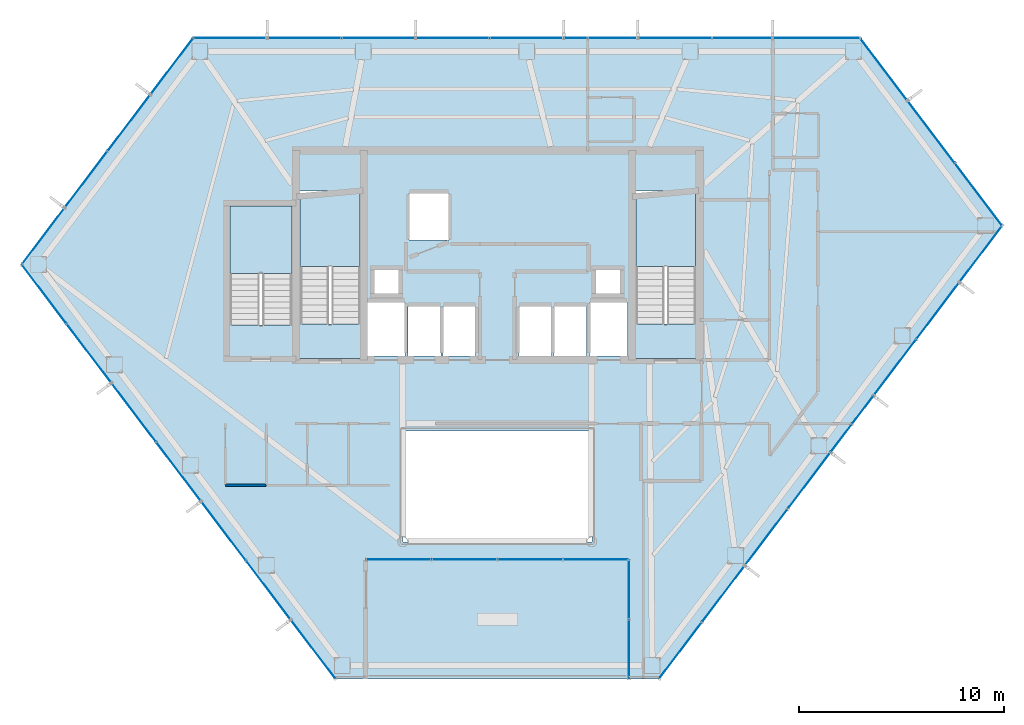
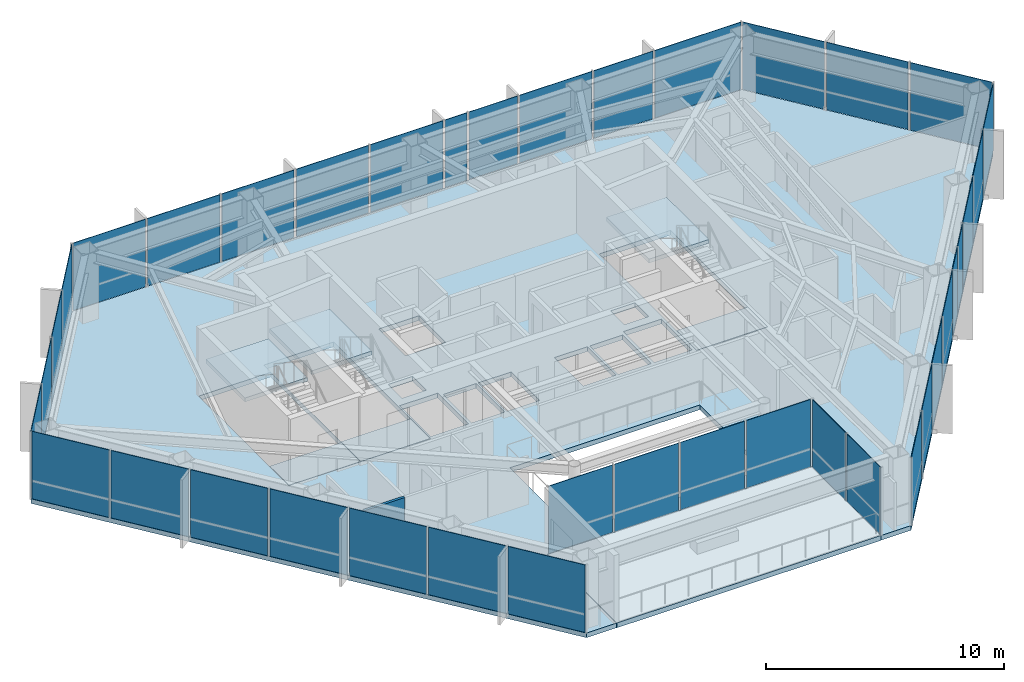
# One storey, part 24 of 28: 39 plates, 8 slabs, 1 wall, 10 elements without a shape of their own.
"""IFC4 building model written with IfcOpenShell, lengths in metres."""

from ifc_helpers import new_model, si_unit, direction, frame, frame_2d, origin, origin_2d, place, context, subcontext, project, spatial, polyline, rectangle, outline, extrude, material, layer, layer_set, type_object, element, aggregate, save


model = new_model("IFC4")

# Units and contexts
model_context = context("Model", 3, precision=1e-05, world=origin(), true_north=direction((0.0, 1.0)))
body_context = subcontext(model_context, "Body", "Model", "MODEL_VIEW")
ifc_project = project(units=[si_unit("LENGTHUNIT", "METRE"), si_unit("AREAUNIT", "SQUARE_METRE"), si_unit("VOLUMEUNIT", "CUBIC_METRE"), si_unit("PLANEANGLEUNIT", "RADIAN"), si_unit("MASSUNIT", "GRAM", prefix="KILO")], contexts=[model_context])

# Site, building, storey
site_placement = place(None, origin())
site = spatial("IfcSite", under=ifc_project, at=site_placement, CompositionType="ELEMENT")
building_placement = place(site_placement, origin())
building = spatial("IfcBuilding", under=site, at=building_placement, Name="Zarrinselat Tower", CompositionType="ELEMENT")
storey_placement = place(building_placement, frame((0.0, 0.0, 157.080078125)))
storey = spatial("IfcBuildingStorey", under=building, at=storey_placement, Name="L38", CompositionType="ELEMENT", Elevation=157.080078125)

# Curtain wall, plates
ifc_material_1 = material(Name="Extruded Aluminium Alloy EN AW-6063 T6", Category="aluminium")
ifc_layer_1 = layer(ifc_material_1, 0.175048828125)
ifc_layer_set_1 = layer_set([ifc_layer_1], Name="Extruded Aluminium Alloy EN AW-6063 T6")
curtain_wall_type_1 = type_object("IfcCurtainWallType", Name="CWS-HTL", PredefinedType="NOTDEFINED", material=ifc_layer_set_1)
curtain_wall_1_placement = place(storey_placement, origin())
curtain_wall_1 = element("IfcCurtainWall", 1, at=curtain_wall_1_placement, inside=storey, type_object=curtain_wall_type_1, Name="L38 Unitised Curtain Wall CW-L38-E01", PredefinedType="NOTDEFINED")
ifc_material_2 = material(Name="Double Low-E Laminated Solar Glass", Category="glass")
ifc_layer_2 = layer(ifc_material_2, 0.028076171875)
ifc_layer_set_2 = layer_set([ifc_layer_2], Name="Double Low-E Laminated Solar Glass")
plate_type = type_object("IfcPlateType", Name="PLT-CW-GL28", PredefinedType="CURTAIN_PANEL", material=ifc_layer_set_2)
plate_1_placement = place(storey_placement, frame((29.439697265625, 19.164306640625, 0.02001953125), z_axis=(0.0, 0.0, 1.0), x_axis=(-0.603857992276, 0.797091917639, 0.0)))
plate_1 = element("IfcPlate", 2, at=plate_1_placement, type_object=plate_type, Name="CW-L38-E01 Vision Glass Panel 1", PredefinedType="CURTAIN_PANEL", context=body_context, shape_type="SweptSolid", body=[
    extrude(rectangle(XDim=3.515869140625, YDim=0.028076171875, at=origin_2d()), origin(), (0.0, 0.0, 1.0), 3.4599609375),
])
plate_2_placement = place(storey_placement, frame((27.256103515625, 22.04638671875, 0.02001953125), z_axis=(0.0, 0.0, 1.0), x_axis=(-0.603857992276, 0.797091917639, 0.0)))
plate_2 = element("IfcPlate", 3, at=plate_2_placement, type_object=plate_type, Name="CW-L38-E01 Vision Glass Panel 2", PredefinedType="CURTAIN_PANEL", context=body_context, shape_type="SweptSolid", body=[
    extrude(rectangle(XDim=3.515869140625, YDim=0.028076171875, at=origin_2d()), origin(), (0.0, 0.0, 1.0), 3.4599609375),
])
plate_3_placement = place(storey_placement, frame((25.07275390625, 24.9287109375, 0.02001953125), z_axis=(0.0, 0.0, 1.0), x_axis=(-0.603857992276, 0.797091917639, 0.0)))
plate_3 = element("IfcPlate", 4, at=plate_3_placement, type_object=plate_type, Name="CW-L38-E01 Vision Glass Panel 3", PredefinedType="CURTAIN_PANEL", context=body_context, shape_type="SweptSolid", body=[
    extrude(rectangle(XDim=3.515869140625, YDim=0.028076171875, at=origin_2d()), origin(), (0.0, 0.0, 1.0), 3.4599609375),
])
plate_4_placement = place(storey_placement, frame((22.889404296875, 27.810791015625, 0.02001953125), z_axis=(0.0, 0.0, 1.0), x_axis=(-0.603857992276, 0.797091917639, 0.0)))
plate_4 = element("IfcPlate", 5, at=plate_4_placement, type_object=plate_type, Name="CW-L38-E01 Vision Glass Panel 4", PredefinedType="CURTAIN_PANEL", context=body_context, shape_type="SweptSolid", body=[
    extrude(rectangle(XDim=3.515869140625, YDim=0.028076171875, at=origin_2d()), origin(), (0.0, 0.0, 1.0), 3.4599609375),
])
plate_5_placement = place(storey_placement, frame((20.7060546875, 30.69287109375, 0.02001953125), z_axis=(0.0, 0.0, 1.0), x_axis=(-0.603857992276, 0.797091917639, 0.0)))
plate_5 = element("IfcPlate", 6, at=plate_5_placement, type_object=plate_type, Name="CW-L38-E01 Vision Glass Panel 5", PredefinedType="CURTAIN_PANEL", context=body_context, shape_type="SweptSolid", body=[
    extrude(rectangle(XDim=3.515869140625, YDim=0.028076171875, at=origin_2d()), origin(), (0.0, 0.0, 1.0), 3.4599609375),
])
plate_6_placement = place(storey_placement, frame((18.522705078125, 33.574951171875, 0.02001953125), z_axis=(0.0, 0.0, 1.0), x_axis=(-0.603857992276, 0.797091917639, 0.0)))
plate_6 = element("IfcPlate", 7, at=plate_6_placement, type_object=plate_type, Name="CW-L38-E01 Vision Glass Panel 6", PredefinedType="CURTAIN_PANEL", context=body_context, shape_type="SweptSolid", body=[
    extrude(rectangle(XDim=3.515869140625, YDim=0.028076171875, at=origin_2d()), origin(), (0.0, 0.0, 1.0), 3.4599609375),
])
plate_7_placement = place(storey_placement, frame((16.339111328125, 36.45703125, 0.02001953125), z_axis=(0.0, 0.0, 1.0), x_axis=(-0.603857992276, 0.797091917639, 0.0)))
plate_7 = element("IfcPlate", 8, at=plate_7_placement, type_object=plate_type, Name="CW-L38-E01 Vision Glass Panel 7", PredefinedType="CURTAIN_PANEL", context=body_context, shape_type="SweptSolid", body=[
    extrude(rectangle(XDim=3.515869140625, YDim=0.028076171875, at=origin_2d()), origin(), (0.0, 0.0, 1.0), 3.4599609375),
])
aggregate(curtain_wall_1, [plate_1, plate_2, plate_3, plate_4, plate_5, plate_6, plate_7])

curtain_wall_2_placement = place(storey_placement, origin())
curtain_wall_2 = element("IfcCurtainWall", 9, at=curtain_wall_2_placement, inside=storey, type_object=curtain_wall_type_1, Name="L38 Unitised Curtain Wall CW-L38-E02", PredefinedType="NOTDEFINED")
plate_8_placement = place(storey_placement, frame((16.291015625, 39.275390625, 0.02001953125), z_axis=(0.0, 0.0, 1.0), x_axis=(0.603857687995, 0.797092148154, 0.0)))
plate_8 = element("IfcPlate", 10, at=plate_8_placement, type_object=plate_type, Name="CW-L38-E02 Vision Glass Panel 1", PredefinedType="CURTAIN_PANEL", context=body_context, shape_type="SweptSolid", body=[
    extrude(rectangle(XDim=3.35595703125, YDim=0.028076171875, at=origin_2d()), origin(), (0.0, 0.0, 1.0), 3.4599609375),
])
plate_9_placement = place(storey_placement, frame((18.377685546875, 42.030029296875, 0.02001953125), z_axis=(0.0, 0.0, 1.0), x_axis=(0.603857687995, 0.797092148154, 0.0)))
plate_9 = element("IfcPlate", 11, at=plate_9_placement, type_object=plate_type, Name="CW-L38-E02 Vision Glass Panel 2", PredefinedType="CURTAIN_PANEL", context=body_context, shape_type="SweptSolid", body=[
    extrude(rectangle(XDim=3.35595703125, YDim=0.028076171875, at=origin_2d()), origin(), (0.0, 0.0, 1.0), 3.4599609375),
])
plate_10_placement = place(storey_placement, frame((20.464599609375, 44.78466796875, 0.02001953125), z_axis=(0.0, 0.0, 1.0), x_axis=(0.603857687995, 0.797092148154, 0.0)))
plate_10 = element("IfcPlate", 12, at=plate_10_placement, type_object=plate_type, Name="CW-L38-E02 Vision Glass Panel 3", PredefinedType="CURTAIN_PANEL", context=body_context, shape_type="SweptSolid", body=[
    extrude(rectangle(XDim=3.35595703125, YDim=0.028076171875, at=origin_2d()), origin(), (0.0, 0.0, 1.0), 3.4599609375),
])
plate_11_placement = place(storey_placement, frame((22.551513671875, 47.539306640625, 0.02001953125), z_axis=(0.0, 0.0, 1.0), x_axis=(0.603857687995, 0.797092148154, 0.0)))
plate_11 = element("IfcPlate", 13, at=plate_11_placement, type_object=plate_type, Name="CW-L38-E02 Vision Glass Panel 4", PredefinedType="CURTAIN_PANEL", context=body_context, shape_type="SweptSolid", body=[
    extrude(rectangle(XDim=3.35595703125, YDim=0.028076171875, at=origin_2d()), origin(), (0.0, 0.0, 1.0), 3.4599609375),
])
aggregate(curtain_wall_2, [plate_8, plate_9, plate_10, plate_11])

curtain_wall_3_placement = place(storey_placement, origin())
curtain_wall_3 = element("IfcCurtainWall", 14, at=curtain_wall_3_placement, inside=storey, type_object=curtain_wall_type_1, Name="L38 Unitised Curtain Wall CW-L38-E03", PredefinedType="NOTDEFINED")
plate_12_placement = place(storey_placement, frame((25.39892578125, 48.916748046875, 0.02001953125), z_axis=(0.0, 0.0, 1.0), x_axis=(1.0, 0.0, 0.0)))
plate_12 = element("IfcPlate", 15, at=plate_12_placement, type_object=plate_type, Name="CW-L38-E03 Vision Glass Panel 1", PredefinedType="CURTAIN_PANEL", context=body_context, shape_type="SweptSolid", body=[
    extrude(rectangle(XDim=3.5078125, YDim=0.028076171875, at=origin_2d()), origin(), (0.0, 0.0, 1.0), 3.4599609375),
])
plate_13_placement = place(storey_placement, frame((29.006591796875, 48.916748046875, 0.02001953125), z_axis=(0.0, 0.0, 1.0), x_axis=(1.0, 0.0, 0.0)))
plate_13 = element("IfcPlate", 16, at=plate_13_placement, type_object=plate_type, Name="CW-L38-E03 Vision Glass Panel 2", PredefinedType="CURTAIN_PANEL", context=body_context, shape_type="SweptSolid", body=[
    extrude(rectangle(XDim=3.5078125, YDim=0.028076171875, at=origin_2d()), origin(), (0.0, 0.0, 1.0), 3.4599609375),
])
plate_14_placement = place(storey_placement, frame((32.614501953125, 48.916748046875, 0.02001953125), z_axis=(0.0, 0.0, 1.0), x_axis=(1.0, 0.0, 0.0)))
plate_14 = element("IfcPlate", 17, at=plate_14_placement, type_object=plate_type, Name="CW-L38-E03 Vision Glass Panel 3", PredefinedType="CURTAIN_PANEL", context=body_context, shape_type="SweptSolid", body=[
    extrude(rectangle(XDim=3.5078125, YDim=0.028076171875, at=origin_2d()), origin(), (0.0, 0.0, 1.0), 3.4599609375),
])
plate_15_placement = place(storey_placement, frame((36.222412109375, 48.916748046875, 0.02001953125), z_axis=(0.0, 0.0, 1.0), x_axis=(1.0, 0.0, 0.0)))
plate_15 = element("IfcPlate", 18, at=plate_15_placement, type_object=plate_type, Name="CW-L38-E03 Vision Glass Panel 4", PredefinedType="CURTAIN_PANEL", context=body_context, shape_type="SweptSolid", body=[
    extrude(rectangle(XDim=3.5078125, YDim=0.028076171875, at=origin_2d()), origin(), (0.0, 0.0, 1.0), 3.4599609375),
])
plate_16_placement = place(storey_placement, frame((39.830078125, 48.916748046875, 0.02001953125), z_axis=(0.0, 0.0, 1.0), x_axis=(1.0, 0.0, 0.0)))
plate_16 = element("IfcPlate", 19, at=plate_16_placement, type_object=plate_type, Name="CW-L38-E03 Vision Glass Panel 5", PredefinedType="CURTAIN_PANEL", context=body_context, shape_type="SweptSolid", body=[
    extrude(rectangle(XDim=3.5078125, YDim=0.028076171875, at=origin_2d()), origin(), (0.0, 0.0, 1.0), 3.4599609375),
])
plate_17_placement = place(storey_placement, frame((42.217041015625, 48.916748046875, 0.02001953125), z_axis=(0.0, 0.0, 1.0), x_axis=(1.0, 0.0, 0.0)))
plate_17 = element("IfcPlate", 20, at=plate_17_placement, type_object=plate_type, Name="CW-L38-E03 Vision Glass Panel 6", PredefinedType="CURTAIN_PANEL", context=body_context, shape_type="SweptSolid", body=[
    extrude(rectangle(XDim=1.06591796875, YDim=0.028076171875, at=origin_2d()), origin(), (0.0, 0.0, 1.0), 3.4599609375),
])
plate_18_placement = place(storey_placement, frame((44.02099609375, 48.916748046875, 0.02001953125), z_axis=(0.0, 0.0, 1.0), x_axis=(1.0, 0.0, 0.0)))
plate_18 = element("IfcPlate", 21, at=plate_18_placement, type_object=plate_type, Name="CW-L38-E03 Vision Glass Panel 7", PredefinedType="CURTAIN_PANEL", context=body_context, shape_type="SweptSolid", body=[
    extrude(rectangle(XDim=2.341796875, YDim=0.028076171875, at=origin_2d()), origin(), (0.0, 0.0, 1.0), 3.4599609375),
])
plate_19_placement = place(storey_placement, frame((47.045654296875, 48.916748046875, 0.02001953125), z_axis=(0.0, 0.0, 1.0), x_axis=(1.0, 0.0, 0.0)))
plate_19 = element("IfcPlate", 22, at=plate_19_placement, type_object=plate_type, Name="CW-L38-E03 Vision Glass Panel 8", PredefinedType="CURTAIN_PANEL", context=body_context, shape_type="SweptSolid", body=[
    extrude(rectangle(XDim=3.5078125, YDim=0.028076171875, at=origin_2d()), origin(), (0.0, 0.0, 1.0), 3.4599609375),
])
plate_20_placement = place(storey_placement, frame((50.32470703125, 48.916748046875, 0.02001953125), z_axis=(0.0, 0.0, 1.0), x_axis=(1.0, 0.0, 0.0)))
plate_20 = element("IfcPlate", 23, at=plate_20_placement, type_object=plate_type, Name="CW-L38-E03 Vision Glass Panel 9", PredefinedType="CURTAIN_PANEL", context=body_context, shape_type="SweptSolid", body=[
    extrude(rectangle(XDim=2.850341796875, YDim=0.028076171875, at=origin_2d()), origin(), (0.0, 0.0, 1.0), 3.4599609375),
])
plate_21_placement = place(storey_placement, frame((53.9326171875, 48.916748046875, 0.02001953125), z_axis=(0.0, 0.0, 1.0), x_axis=(1.0, 0.0, 0.0)))
plate_21 = element("IfcPlate", 24, at=plate_21_placement, type_object=plate_type, Name="CW-L38-E03 Vision Glass Panel 10", PredefinedType="CURTAIN_PANEL", context=body_context, shape_type="SweptSolid", body=[
    extrude(rectangle(XDim=4.165283203125, YDim=0.028076171875, at=origin_2d()), origin(), (0.0, 0.0, 1.0), 3.4599609375),
])
aggregate(curtain_wall_3, [plate_12, plate_13, plate_14, plate_15, plate_16, plate_17, plate_18, plate_19, plate_20, plate_21])

curtain_wall_4_placement = place(storey_placement, origin())
curtain_wall_4 = element("IfcCurtainWall", 25, at=curtain_wall_4_placement, inside=storey, type_object=curtain_wall_type_1, Name="L38 Unitised Curtain Wall CW-L38-E04", PredefinedType="NOTDEFINED")
plate_22_placement = place(storey_placement, frame((57.218017578125, 47.39501953125, 0.02001953125), z_axis=(0.0, 0.0, 1.0), x_axis=(0.603856343425, -0.797093166766, 0.0)))
plate_22 = element("IfcPlate", 26, at=plate_22_placement, type_object=plate_type, Name="CW-L38-E04 Vision Glass Panel 1", PredefinedType="CURTAIN_PANEL", context=body_context, shape_type="SweptSolid", body=[
    extrude(rectangle(XDim=3.718505859375, YDim=0.028076171875, at=origin_2d()), origin(), (0.0, 0.0, 1.0), 3.4599609375),
])
plate_23_placement = place(storey_placement, frame((59.52392578125, 44.351318359375, 0.02001953125), z_axis=(0.0, 0.0, 1.0), x_axis=(0.603856343425, -0.797093166766, 0.0)))
plate_23 = element("IfcPlate", 27, at=plate_23_placement, type_object=plate_type, Name="CW-L38-E04 Vision Glass Panel 2", PredefinedType="CURTAIN_PANEL", context=body_context, shape_type="SweptSolid", body=[
    extrude(rectangle(XDim=3.718505859375, YDim=0.028076171875, at=origin_2d()), origin(), (0.0, 0.0, 1.0), 3.4599609375),
])
plate_24_placement = place(storey_placement, frame((61.82958984375, 41.3076171875, 0.02001953125), z_axis=(0.0, 0.0, 1.0), x_axis=(0.603856343425, -0.797093166766, 0.0)))
plate_24 = element("IfcPlate", 28, at=plate_24_placement, type_object=plate_type, Name="CW-L38-E04 Vision Glass Panel 3", PredefinedType="CURTAIN_PANEL", context=body_context, shape_type="SweptSolid", body=[
    extrude(rectangle(XDim=3.718505859375, YDim=0.028076171875, at=origin_2d()), origin(), (0.0, 0.0, 1.0), 3.4599609375),
])
aggregate(curtain_wall_4, [plate_22, plate_23, plate_24])

curtain_wall_5_placement = place(storey_placement, origin())
curtain_wall_5 = element("IfcCurtainWall", 29, at=curtain_wall_5_placement, inside=storey, type_object=curtain_wall_type_1, Name="L38 Unitised Curtain Wall CW-L38-E05", PredefinedType="NOTDEFINED")
plate_25_placement = place(storey_placement, frame((61.93798828125, 38.40673828125, 0.02001953125), z_axis=(0.0, 0.0, 1.0), x_axis=(-0.603858522722, -0.797091515785, 0.0)))
plate_25 = element("IfcPlate", 30, at=plate_25_placement, type_object=plate_type, Name="CW-L38-E05 Vision Glass Panel 1", PredefinedType="CURTAIN_PANEL", context=body_context, shape_type="SweptSolid", body=[
    extrude(rectangle(XDim=3.35986328125, YDim=0.028076171875, at=origin_2d()), origin(), (0.0, 0.0, 1.0), 3.4599609375),
])
plate_26_placement = place(storey_placement, frame((59.8486328125, 35.64892578125, 0.02001953125), z_axis=(0.0, 0.0, 1.0), x_axis=(-0.603858522722, -0.797091515785, 0.0)))
plate_26 = element("IfcPlate", 31, at=plate_26_placement, type_object=plate_type, Name="CW-L38-E05 Vision Glass Panel 2", PredefinedType="CURTAIN_PANEL", context=body_context, shape_type="SweptSolid", body=[
    extrude(rectangle(XDim=3.35986328125, YDim=0.028076171875, at=origin_2d()), origin(), (0.0, 0.0, 1.0), 3.4599609375),
])
plate_27_placement = place(storey_placement, frame((57.759521484375, 32.89111328125, 0.02001953125), z_axis=(0.0, 0.0, 1.0), x_axis=(-0.603858522722, -0.797091515785, 0.0)))
plate_27 = element("IfcPlate", 32, at=plate_27_placement, type_object=plate_type, Name="CW-L38-E05 Vision Glass Panel 3", PredefinedType="CURTAIN_PANEL", context=body_context, shape_type="SweptSolid", body=[
    extrude(rectangle(XDim=3.35986328125, YDim=0.028076171875, at=origin_2d()), origin(), (0.0, 0.0, 1.0), 3.4599609375),
])
plate_28_placement = place(storey_placement, frame((56.18505859375, 30.81298828125, 0.02001953125), z_axis=(0.0, 0.0, 1.0), x_axis=(-0.603858522722, -0.797091515785, 0.0)))
plate_28 = element("IfcPlate", 33, at=plate_28_placement, type_object=plate_type, Name="CW-L38-E05 Vision Glass Panel 4", PredefinedType="CURTAIN_PANEL", context=body_context, shape_type="SweptSolid", body=[
    extrude(rectangle(XDim=1.654541015625, YDim=0.028076171875, at=origin_2d()), origin(), (0.0, 0.0, 1.0), 3.4599609375),
])
plate_29_placement = place(storey_placement, frame((55.140380859375, 29.43408203125, 0.02001953125), z_axis=(0.0, 0.0, 1.0), x_axis=(-0.603858522722, -0.797091515785, 0.0)))
plate_29 = element("IfcPlate", 34, at=plate_29_placement, type_object=plate_type, Name="CW-L38-E05 Vision Glass Panel 5", PredefinedType="CURTAIN_PANEL", context=body_context, shape_type="SweptSolid", body=[
    extrude(rectangle(XDim=1.605224609375, YDim=0.028076171875, at=origin_2d()), origin(), (0.0, 0.0, 1.0), 3.4599609375),
])
plate_30_placement = place(storey_placement, frame((53.5810546875, 27.375732421875, 0.02001953125), z_axis=(0.0, 0.0, 1.0), x_axis=(-0.603858522722, -0.797091515785, 0.0)))
plate_30 = element("IfcPlate", 35, at=plate_30_placement, type_object=plate_type, Name="CW-L38-E05 Vision Glass Panel 6", PredefinedType="CURTAIN_PANEL", context=body_context, shape_type="SweptSolid", body=[
    extrude(rectangle(XDim=3.35986328125, YDim=0.028076171875, at=origin_2d()), origin(), (0.0, 0.0, 1.0), 3.4599609375),
])
plate_31_placement = place(storey_placement, frame((51.49169921875, 24.617919921875, 0.02001953125), z_axis=(0.0, 0.0, 1.0), x_axis=(-0.603858522722, -0.797091515785, 0.0)))
plate_31 = element("IfcPlate", 36, at=plate_31_placement, type_object=plate_type, Name="CW-L38-E05 Vision Glass Panel 7", PredefinedType="CURTAIN_PANEL", context=body_context, shape_type="SweptSolid", body=[
    extrude(rectangle(XDim=3.35986328125, YDim=0.028076171875, at=origin_2d()), origin(), (0.0, 0.0, 1.0), 3.4599609375),
])
plate_32_placement = place(storey_placement, frame((49.402587890625, 21.860107421875, 0.02001953125), z_axis=(0.0, 0.0, 1.0), x_axis=(-0.603858522722, -0.797091515785, 0.0)))
plate_32 = element("IfcPlate", 37, at=plate_32_placement, type_object=plate_type, Name="CW-L38-E05 Vision Glass Panel 8", PredefinedType="CURTAIN_PANEL", context=body_context, shape_type="SweptSolid", body=[
    extrude(rectangle(XDim=3.35986328125, YDim=0.028076171875, at=origin_2d()), origin(), (0.0, 0.0, 1.0), 3.4599609375),
])
plate_33_placement = place(storey_placement, frame((47.313232421875, 19.102294921875, 0.02001953125), z_axis=(0.0, 0.0, 1.0), x_axis=(-0.603858522722, -0.797091515785, 0.0)))
plate_33 = element("IfcPlate", 38, at=plate_33_placement, type_object=plate_type, Name="CW-L38-E05 Vision Glass Panel 9", PredefinedType="CURTAIN_PANEL", context=body_context, shape_type="SweptSolid", body=[
    extrude(rectangle(XDim=3.35986328125, YDim=0.028076171875, at=origin_2d()), origin(), (0.0, 0.0, 1.0), 3.4599609375),
])
aggregate(curtain_wall_5, [plate_25, plate_26, plate_27, plate_28, plate_29, plate_30, plate_31, plate_32, plate_33])

ifc_material_3 = material(Name="Extruded Aluminium Alloy EN AW-6063 T6", Category="aluminium")
ifc_layer_3 = layer(ifc_material_3, 0.18994140625)
ifc_layer_set_3 = layer_set([ifc_layer_3], Name="Extruded Aluminium Alloy EN AW-6063 T6")
curtain_wall_type_2 = type_object("IfcCurtainWallType", Name="CWS-SG", PredefinedType="NOTDEFINED", material=ifc_layer_set_3)
curtain_wall_6_placement = place(storey_placement, origin())
curtain_wall_6 = element("IfcCurtainWall", 39, at=curtain_wall_6_placement, inside=storey, type_object=curtain_wall_type_2, Name="L38 Unitised Curtain Wall CW-L38-E07", PredefinedType="NOTDEFINED")
plate_34_placement = place(storey_placement, frame((44.81494140625, 19.17333984375, 0.02001953125), z_axis=(0.0, 0.0, 1.0), x_axis=(0.0, 1.0, 0.0)))
plate_34 = element("IfcPlate", 40, at=plate_34_placement, type_object=plate_type, Name="CW-L38-E07 Vision Glass Panel 1", PredefinedType="CURTAIN_PANEL", context=body_context, shape_type="SweptSolid", body=[
    extrude(rectangle(XDim=2.800048828125, YDim=0.028076171875, at=origin_2d()), origin(), (0.0, 0.0, 1.0), 3.4599609375),
])
plate_35_placement = place(storey_placement, frame((44.81494140625, 22.073486328125, 0.02001953125), z_axis=(0.0, 0.0, 1.0), x_axis=(0.0, 1.0, 0.0)))
plate_35 = element("IfcPlate", 41, at=plate_35_placement, type_object=plate_type, Name="CW-L38-E07 Vision Glass Panel 2", PredefinedType="CURTAIN_PANEL", context=body_context, shape_type="SweptSolid", body=[
    extrude(rectangle(XDim=2.800048828125, YDim=0.028076171875, at=origin_2d()), origin(), (0.0, 0.0, 1.0), 3.4599609375),
])
aggregate(curtain_wall_6, [plate_34, plate_35])

curtain_wall_7_placement = place(storey_placement, origin())
curtain_wall_7 = element("IfcCurtainWall", 42, at=curtain_wall_7_placement, inside=storey, type_object=curtain_wall_type_2, Name="L38 Unitised Curtain Wall CW-L38-E24", PredefinedType="NOTDEFINED")
plate_36_placement = place(storey_placement, frame((43.199951171875, 23.538330078125, 0.02001953125), z_axis=(0.0, 0.0, 1.0), x_axis=(-1.0, 0.0, 0.0)))
plate_36 = element("IfcPlate", 43, at=plate_36_placement, type_object=plate_type, Name="CW-L38-E24 Vision Glass Panel 1", PredefinedType="CURTAIN_PANEL", context=body_context, shape_type="SweptSolid", body=[
    extrude(rectangle(XDim=3.10009765625, YDim=0.028076171875, at=origin_2d()), origin(), (0.0, 0.0, 1.0), 3.4599609375),
])
plate_37_placement = place(storey_placement, frame((40.0, 23.538330078125, 0.02001953125), z_axis=(0.0, 0.0, 1.0), x_axis=(-1.0, 0.0, 0.0)))
plate_37 = element("IfcPlate", 44, at=plate_37_placement, type_object=plate_type, Name="CW-L38-E24 Vision Glass Panel 2", PredefinedType="CURTAIN_PANEL", context=body_context, shape_type="SweptSolid", body=[
    extrude(rectangle(XDim=3.10009765625, YDim=0.028076171875, at=origin_2d()), origin(), (0.0, 0.0, 1.0), 3.4599609375),
])
plate_38_placement = place(storey_placement, frame((36.800048828125, 23.538330078125, 0.02001953125), z_axis=(0.0, 0.0, 1.0), x_axis=(-1.0, 0.0, 0.0)))
plate_38 = element("IfcPlate", 45, at=plate_38_placement, type_object=plate_type, Name="CW-L38-E24 Vision Glass Panel 3", PredefinedType="CURTAIN_PANEL", context=body_context, shape_type="SweptSolid", body=[
    extrude(rectangle(XDim=3.10009765625, YDim=0.028076171875, at=origin_2d()), origin(), (0.0, 0.0, 1.0), 3.4599609375),
])
plate_39_placement = place(storey_placement, frame((33.60009765625, 23.538330078125, 0.02001953125), z_axis=(0.0, 0.0, 1.0), x_axis=(-1.0, 0.0, 0.0)))
plate_39 = element("IfcPlate", 46, at=plate_39_placement, type_object=plate_type, Name="CW-L38-E24 Vision Glass Panel 4", PredefinedType="CURTAIN_PANEL", context=body_context, shape_type="SweptSolid", body=[
    extrude(rectangle(XDim=3.10009765625, YDim=0.028076171875, at=origin_2d()), origin(), (0.0, 0.0, 1.0), 3.4599609375),
])
aggregate(curtain_wall_7, [plate_36, plate_37, plate_38, plate_39])

# Slabs
ifc_material_4 = material(Name="Concrete C40/50", Category="concrete")
ifc_layer_4 = layer(ifc_material_4, 0.239990234375)
ifc_layer_set_4 = layer_set([ifc_layer_4], Name="Concrete C40/50")
slab_type_1 = type_object("IfcSlabType", Name="SLB-FLOOR-240-SL-HT240", PredefinedType="FLOOR", material=ifc_layer_set_4)
slab_1_placement = place(storey_placement, frame((0.0, 0.0, -0.239990234375)))
element("IfcSlab", 47, at=slab_1_placement, inside=storey, type_object=slab_type_1, Name="L38 Primary Structural Slab", PredefinedType="FLOOR", context=body_context, shape_type="SweptSolid", body=[
    extrude(outline(polyline([(30.53125, 17.723388671875), (15.24755859375, 37.89794921875), (23.594970703125, 48.916748046875), (56.065185546875, 48.916748046875), (62.982666015625, 39.78564453125), (46.268798828125, 17.723388671875), (44.81494140625, 17.723388671875), (44.81494140625, 23.5234375), (44.81494140625, 23.52490234375), (44.814697265625, 23.5263671875), (44.814453125, 23.52783203125), (44.81396484375, 23.529052734375), (44.813232421875, 23.530517578125), (44.8125, 23.53173828125), (44.8115234375, 23.532958984375), (44.810546875, 23.533935546875), (44.8095703125, 23.534912109375), (44.808349609375, 23.535888671875), (44.80712890625, 23.53662109375), (44.8056640625, 23.537353515625), (44.804443359375, 23.537841796875), (44.802978515625, 23.5380859375), (44.801513671875, 23.538330078125), (44.800048828125, 23.538330078125), (32.0, 23.538330078125), (31.99853515625, 23.538330078125), (31.9970703125, 23.5380859375), (31.99560546875, 23.537841796875), (31.994384765625, 23.537353515625), (31.992919921875, 23.53662109375), (31.99169921875, 23.535888671875), (31.990478515625, 23.534912109375), (31.989501953125, 23.533935546875), (31.98828125, 23.532958984375), (31.987548828125, 23.53173828125), (31.98681640625, 23.530517578125), (31.986083984375, 23.529052734375), (31.985595703125, 23.52783203125), (31.9853515625, 23.5263671875), (31.985107421875, 23.52490234375), (31.985107421875, 23.5234375), (31.985107421875, 17.723388671875), (30.53125, 17.723388671875)]), holes=[polyline([(35.64990234375, 33.449951171875), (34.050048828125, 33.449951171875), (34.050048828125, 35.85009765625), (35.64990234375, 35.85009765625), (35.64990234375, 33.449951171875)]), polyline([(35.75, 33.449951171875), (35.75, 35.85009765625), (37.35009765625, 35.85009765625), (37.35009765625, 33.449951171875), (35.75, 33.449951171875)]), polyline([(32.06005859375, 33.449951171875), (32.06005859375, 36.050048828125), (33.89990234375, 36.050048828125), (33.89990234375, 33.449951171875), (32.06005859375, 33.449951171875)]), polyline([(33.60009765625, 36.47998046875), (32.419921875, 36.47998046875), (32.419921875, 37.639892578125), (33.60009765625, 37.639892578125), (33.60009765625, 36.47998046875)]), polyline([(28.594970703125, 33.324951171875), (25.114990234375, 33.324951171875), (25.114990234375, 40.875), (28.594970703125, 40.875), (28.594970703125, 33.324951171875)]), polyline([(31.985107421875, 33.324951171875), (28.60498046875, 33.324951171875), (28.60498046875, 41.47509765625), (31.985107421875, 41.47509765625), (31.985107421875, 33.324951171875)]), polyline([(36.050048828125, 39.10009765625), (34.10009765625, 39.10009765625), (34.10009765625, 41.35009765625), (36.050048828125, 41.35009765625), (36.050048828125, 39.10009765625)]), polyline([(33.800048828125, 24.39990234375), (33.800048828125, 29.800048828125), (43.0, 29.800048828125), (43.0, 24.39990234375), (33.800048828125, 24.39990234375)]), polyline([(39.449951171875, 33.449951171875), (39.449951171875, 35.85009765625), (41.050048828125, 35.85009765625), (41.050048828125, 33.449951171875), (39.449951171875, 33.449951171875)]), polyline([(41.14990234375, 33.449951171875), (41.14990234375, 35.85009765625), (42.75, 35.85009765625), (42.75, 33.449951171875), (41.14990234375, 33.449951171875)]), polyline([(42.89990234375, 33.449951171875), (42.89990234375, 36.050048828125), (44.739990234375, 36.050048828125), (44.739990234375, 33.449951171875), (42.89990234375, 33.449951171875)]), polyline([(43.199951171875, 36.47998046875), (43.199951171875, 37.639892578125), (44.3798828125, 37.639892578125), (44.3798828125, 36.47998046875), (43.199951171875, 36.47998046875)]), polyline([(48.324951171875, 33.324951171875), (44.875, 33.324951171875), (44.875, 41.47509765625), (48.324951171875, 41.47509765625), (48.324951171875, 33.324951171875)])]), origin(), (0.0, 0.0, 1.0), 0.239990234375),
])
slab_2_placement = place(storey_placement, frame((0.0, 0.0, -0.239990234375)))
element("IfcSlab", 48, at=slab_2_placement, inside=storey, type_object=slab_type_1, Name="L38 Stair ST-1-FL1 Structural Floor Landing", PredefinedType="FLOOR", context=body_context, shape_type="SweptSolid", body=[
    extrude(outline(polyline([(31.97998046875, 33.330078125), (31.97998046875, 35.0), (28.610107421875, 35.0), (28.610107421875, 33.330078125), (31.97998046875, 33.330078125)])), origin(), (0.0, 0.0, 1.0), 0.239990234375),
])
slab_3_placement = place(storey_placement, frame((0.0, 0.0, -0.239990234375)))
element("IfcSlab", 49, at=slab_3_placement, inside=storey, type_object=slab_type_1, Name="L38 Stair ST-2-FL1 Structural Floor Landing", PredefinedType="FLOOR", context=body_context, shape_type="SweptSolid", body=[
    extrude(outline(polyline([(48.320068359375, 33.330078125), (48.320068359375, 35.0), (44.8798828125, 35.0), (44.8798828125, 33.330078125), (48.320068359375, 33.330078125)])), origin(), (0.0, 0.0, 1.0), 0.239990234375),
])
slab_4_placement = place(storey_placement, frame((0.0, 0.0, -0.239990234375)))
element("IfcSlab", 50, at=slab_4_placement, inside=storey, type_object=slab_type_1, Name="L38 Stair ST-3-FL1 Structural Floor Landing", PredefinedType="FLOOR", context=body_context, shape_type="SweptSolid", body=[
    extrude(outline(polyline([(28.590087890625, 33.330078125), (28.590087890625, 34.949951171875), (25.1201171875, 34.949951171875), (25.1201171875, 33.330078125), (28.590087890625, 33.330078125)])), origin(), (0.0, 0.0, 1.0), 0.239990234375),
])

# Stair, slab
ifc_material_5 = material(Name="Concrete C40/50", Category="concrete")
stair_type_1 = type_object("IfcStairType", Name="STR-CORE-145", PredefinedType="HALF_TURN_STAIR", material=ifc_material_5)
stair_1_placement = place(storey_placement, origin())
stair_1 = element("IfcStair", 51, at=stair_1_placement, inside=storey, type_object=stair_type_1, Name="L38 Podium & Mid-Tower Exit Stair 3", PredefinedType="HALF_TURN_STAIR")
ifc_material_6 = material(Name="Concrete C40/50", Category="concrete")
ifc_layer_5 = layer(ifc_material_6, 0.1650390625)
ifc_layer_set_5 = layer_set([ifc_layer_5], Name="Concrete C40/50")
slab_type_2 = type_object("IfcSlabType", Name="SLB-LND-165", PredefinedType="LANDING", material=ifc_layer_set_5)
slab_5_placement = place(storey_placement, frame((0.0, 0.0, 1.669921875)))
slab_5 = element("IfcSlab", 52, at=slab_5_placement, type_object=slab_type_2, Name="ST-3 landing 1", PredefinedType="LANDING", context=body_context, shape_type="SweptSolid", body=[
    extrude(outline(polyline([(28.39990234375, 37.469970703125), (28.39990234375, 40.75), (25.3798828125, 40.75), (25.3798828125, 37.469970703125), (28.39990234375, 37.469970703125)])), origin(), (0.0, 0.0, 1.0), 0.199951171875),
])
aggregate(stair_1, [slab_5])

ifc_material_7 = material(Name="Concrete C40/50", Category="concrete")
stair_type_2 = type_object("IfcStairType", Name="STR-CORE-155", PredefinedType="HALF_TURN_STAIR", material=ifc_material_7)
stair_2_placement = place(storey_placement, origin())
stair_2 = element("IfcStair", 53, at=stair_2_placement, inside=storey, type_object=stair_type_2, Name="L38 Core Exit Stair 1", PredefinedType="HALF_TURN_STAIR")
ifc_material_8 = material(Name="Concrete C40/50", Category="concrete")
ifc_layer_6 = layer(ifc_material_8, 0.18994140625)
ifc_layer_set_6 = layer_set([ifc_layer_6], Name="Concrete C40/50")
slab_type_3 = type_object("IfcSlabType", Name="SLB-LND-190", PredefinedType="LANDING", material=ifc_layer_set_6)
slab_6_placement = place(storey_placement, frame((0.0, 0.0, 1.669921875)))
slab_6 = element("IfcSlab", 54, at=slab_6_placement, type_object=slab_type_3, Name="ST-1 landing 1", PredefinedType="LANDING", context=body_context, shape_type="SweptSolid", body=[
    extrude(outline(polyline([(31.719970703125, 37.7900390625), (31.719970703125, 41.35009765625), (28.800048828125, 41.35009765625), (28.800048828125, 37.7900390625), (31.719970703125, 37.7900390625)])), origin(), (0.0, 0.0, 1.0), 0.199951171875),
])
aggregate(stair_2, [slab_6])

stair_3_placement = place(storey_placement, origin())
stair_3 = element("IfcStair", 55, at=stair_3_placement, inside=storey, type_object=stair_type_2, Name="L38 Core Exit Stair 2", PredefinedType="HALF_TURN_STAIR")
slab_7_placement = place(storey_placement, frame((0.0, 0.0, 1.669921875)))
slab_7 = element("IfcSlab", 56, at=slab_7_placement, type_object=slab_type_3, Name="ST-2 landing 1", PredefinedType="LANDING", context=body_context, shape_type="SweptSolid", body=[
    extrude(outline(polyline([(48.06005859375, 37.7900390625), (48.06005859375, 41.35009765625), (45.139892578125, 41.35009765625), (45.139892578125, 37.7900390625), (48.06005859375, 37.7900390625)])), origin(), (0.0, 0.0, 1.0), 0.199951171875),
])
aggregate(stair_3, [slab_7])

# Slab
ifc_material_9 = material(Name="Concrete C40/50", Category="concrete")
ifc_layer_7 = layer(ifc_material_9, 0.25)
ifc_layer_set_7 = layer_set([ifc_layer_7], Name="Concrete C40/50")
slab_type_4 = type_object("IfcSlabType", Name="SLB-ROOF-250-SL-SG250", PredefinedType="ROOF", material=ifc_layer_set_7)
slab_8_placement = place(storey_placement, frame((0.0, 0.0, -0.25)))
element("IfcSlab", 57, at=slab_8_placement, inside=storey, type_object=slab_type_4, Name="L38 Badgir Sky Garden 3 Terrace Slab", PredefinedType="ROOF", context=body_context, shape_type="SweptSolid", body=[
    extrude(outline(polyline([(32.0, 17.723388671875), (32.0, 23.5234375), (44.800048828125, 23.5234375), (44.800048828125, 17.723388671875), (32.0, 17.723388671875)])), origin(), (0.0, 0.0, 1.0), 0.25),
])

# Wall
ifc_material_10 = material(Name="Fire-Rated Gypsum Board Partition", Category="gypsum")
ifc_layer_8 = layer(ifc_material_10, 0.1201171875)
ifc_layer_set_8 = layer_set([ifc_layer_8], Name="Fire-Rated Gypsum Board Partition")
wall_type = type_object("IfcWallType", Name="WAL-PART-STD", PredefinedType="PARTITIONING", material=ifc_layer_set_8)
wall_placement = place(storey_placement, frame((25.169921875, 27.14990234375, 0.0), z_axis=(0.0, 0.0, 1.0), x_axis=(1.0, 0.0, 0.0)))
element("IfcWall", 58, at=wall_placement, inside=storey, type_object=wall_type, Name="L38 Partition Wall 32", PredefinedType="PARTITIONING", context=body_context, shape_type="SweptSolid", body=[
    extrude(rectangle(XDim=1.9599609375, YDim=0.1201171875, at=frame_2d((0.97998046875, 0.0))), origin(), (0.0, 0.0, 1.0), 2.45703125),
])

save(model, "model.ifc")
